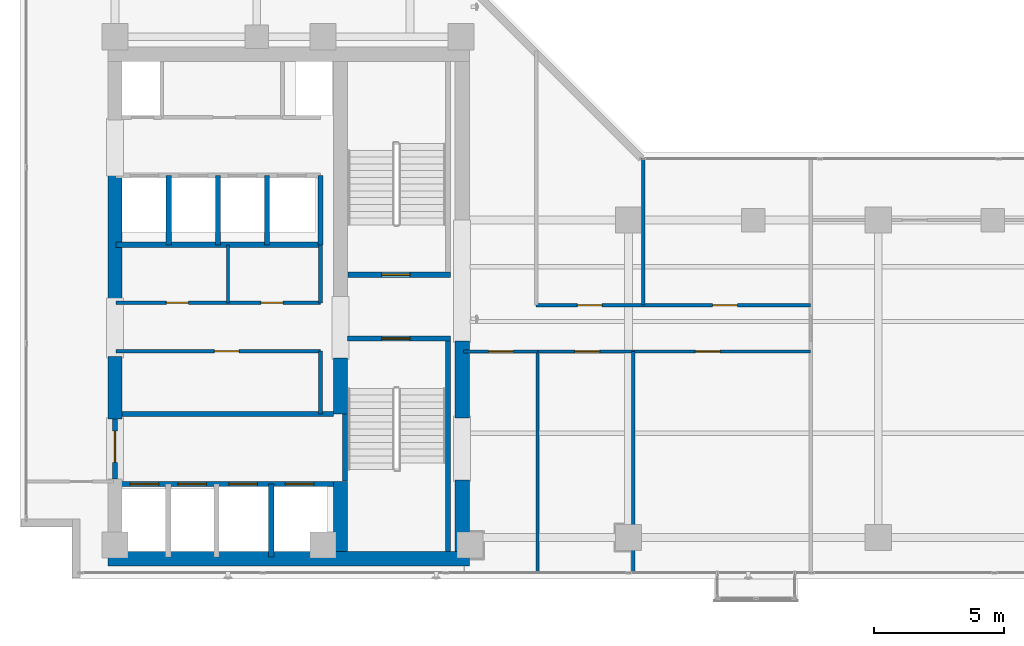
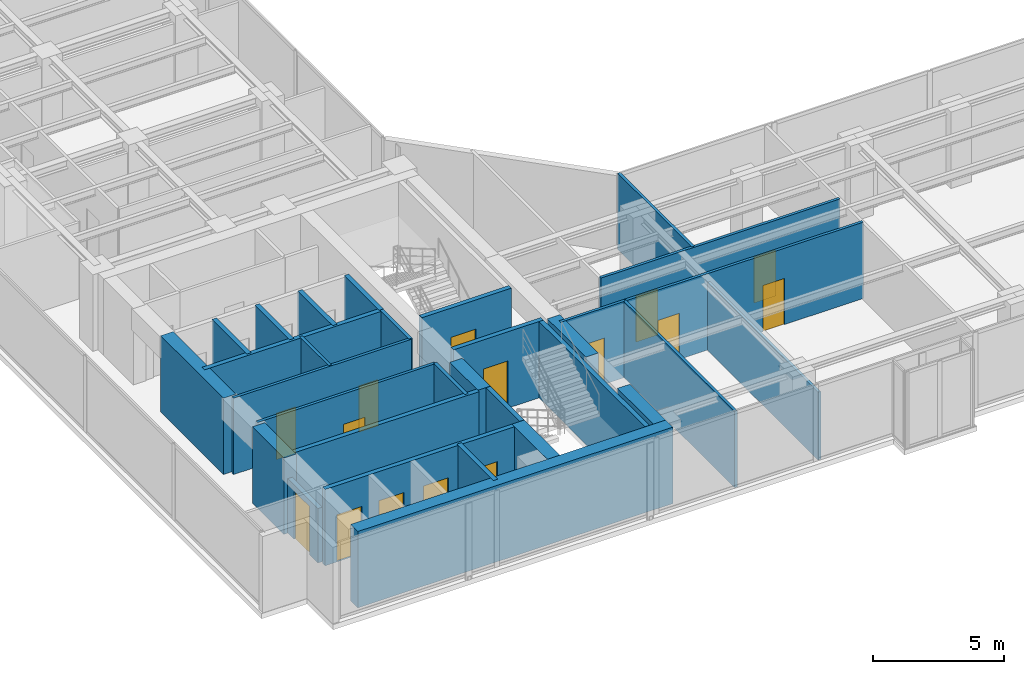
# One storey, part 17 of 23: 31 walls, 15 doors, 15 openings.
"""IFC4 building model written with IfcOpenShell, lengths in metres."""

from ifc_helpers import new_model, si_unit, direction, frame, frame_2d, origin, place, context, subcontext, project, spatial, rectangle, extrude, material, layer, layer_set, type_object, element, fill, save


model = new_model("IFC4")

# Units and contexts
model_context = context("Model", 3, precision=1e-05, world=origin(), true_north=direction((0.0, 1.0)))
body_context = subcontext(model_context, "Body", "Model", "MODEL_VIEW")
ifc_project = project(units=[si_unit("LENGTHUNIT", "METRE"), si_unit("AREAUNIT", "SQUARE_METRE"), si_unit("VOLUMEUNIT", "CUBIC_METRE"), si_unit("PLANEANGLEUNIT", "RADIAN"), si_unit("MASSUNIT", "GRAM", prefix="KILO")], contexts=[model_context])

# Site, building, storey
site_placement = place(None, origin())
site = spatial("IfcSite", under=ifc_project, at=site_placement, CompositionType="ELEMENT")
building_placement = place(site_placement, origin())
building = spatial("IfcBuilding", under=site, at=building_placement, Name="Kolvaren Waterfront Exchange", CompositionType="ELEMENT")
storey_placement = place(building_placement, frame((0.0, 0.0, 234.89990234375)))
storey = spatial("IfcBuildingStorey", under=building, at=storey_placement, Name="L60", CompositionType="ELEMENT", Elevation=234.89990234375)

# Wall, opening, door
ifc_material_1 = material(Name="Precast concrete C40/50", Category="concrete")
ifc_layer_1 = layer(ifc_material_1, 0.199951171875, Name="Precast concrete C40/50")
ifc_layer_set_1 = layer_set([ifc_layer_1], Name="Precast concrete C40/50")
wall_type_1 = type_object("IfcWallType", Name="ARC-FIRE-200", PredefinedType="PARTITIONING", material=ifc_layer_set_1)
wall_1_placement = place(storey_placement, frame((16.39990234375, 12.85009765625, 0.0), z_axis=(0.0, 0.0, 1.0), x_axis=(1.0, 0.0, 0.0)))
wall_1 = element("IfcWall", 1, at=wall_1_placement, inside=storey, type_object=wall_type_1, Name="L60 interior wall PW-L60-ST1-THROAT-S", PredefinedType="PARTITIONING", context=body_context, shape_type="SweptSolid", body=[
    extrude(rectangle(XDim=3.960205078125, YDim=0.199951171875, at=frame_2d((1.97998046875, 0.0))), origin(), (0.0, 0.0, 1.0), 3.56005859375),
])
opening_1_placement = place(wall_1_placement, frame((1.3037109375, 0.0, 0.0)))
opening_1 = element("IfcOpeningElement", 2, at=opening_1_placement, cuts=wall_1, Name="Opening FD2", PredefinedType="OPENING", context=body_context, shape_type="SweptSolid", body=[
    extrude(rectangle(XDim=1.10009765625, YDim=2.199951171875, at=frame_2d((0.550048828125, 1.10009765625))), frame((0.0, 0.10986328125, 0.0), z_axis=(0.0, -1.0, 0.0), x_axis=(1.0, 0.0, 0.0)), (0.0, 0.0, 1.0), 0.219970703125),
])
ifc_material_2 = material(Name="Pressed steel smoke-seal fire door", Category="steel")
door_type_1 = type_object("IfcDoorType", Name="ARC-FD-1100", OperationType="NOTDEFINED", PredefinedType="DOOR", material=ifc_material_2)
door_1_placement = place(opening_1_placement, frame((1.10009765625, 0.0, 0.0), z_axis=(0.0, 0.0, 1.0), x_axis=(-1.0, 0.0, 0.0)))
door_1 = element("IfcDoor", 3, at=door_1_placement, inside=storey, type_object=door_type_1, Name="L60 door DR-L60-ST1-IN (FD2)", OperationType="SINGLE_SWING_LEFT", OverallHeight=2.199951171875, OverallWidth=1.10009765625, PredefinedType="DOOR", context=body_context, shape_type="SweptSolid", body=[
    extrude(rectangle(XDim=1.10009765625, YDim=2.199951171875, at=frame_2d((0.550048828125, 1.10009765625))), frame((0.0, 0.02490234375, 0.0), z_axis=(0.0, -1.0, 0.0), x_axis=(1.0, 0.0, 0.0)), (0.0, 0.0, 1.0), 0.050048828125),
])
fill(opening_1, door_1)

wall_2_placement = place(storey_placement, frame((16.409912109375, 15.300048828125, 0.0), z_axis=(0.0, 0.0, 1.0), x_axis=(1.0, 0.0, 0.0)))
wall_2 = element("IfcWall", 4, at=wall_2_placement, inside=storey, type_object=wall_type_1, Name="L60 interior wall PW-L60-ST2-THROAT-N", PredefinedType="PARTITIONING", context=body_context, shape_type="SweptSolid", body=[
    extrude(rectangle(XDim=3.9501953125, YDim=0.199951171875, at=frame_2d((1.97509765625, 0.0))), origin(), (0.0, 0.0, 1.0), 3.56005859375),
])
opening_2_placement = place(wall_2_placement, frame((1.293701171875, 0.0, 0.0)))
opening_2 = element("IfcOpeningElement", 5, at=opening_2_placement, cuts=wall_2, Name="Opening FD2", PredefinedType="OPENING", context=body_context, shape_type="SweptSolid", body=[
    extrude(rectangle(XDim=1.10009765625, YDim=2.199951171875, at=frame_2d((0.550048828125, 1.10009765625))), frame((0.0, 0.10986328125, 0.0), z_axis=(0.0, -1.0, 0.0), x_axis=(1.0, 0.0, 0.0)), (0.0, 0.0, 1.0), 0.219970703125),
])
door_2_placement = place(opening_2_placement, origin())
door_2 = element("IfcDoor", 6, at=door_2_placement, inside=storey, type_object=door_type_1, Name="L60 door DR-L60-ST2-IN (FD2)", OperationType="SINGLE_SWING_RIGHT", OverallHeight=2.199951171875, OverallWidth=1.10009765625, PredefinedType="DOOR", context=body_context, shape_type="SweptSolid", body=[
    extrude(rectangle(XDim=1.10009765625, YDim=2.199951171875, at=frame_2d((0.550048828125, 1.10009765625))), frame((0.0, 0.02490234375, 0.0), z_axis=(0.0, -1.0, 0.0), x_axis=(1.0, 0.0, 0.0)), (0.0, 0.0, 1.0), 0.050048828125),
])
fill(opening_2, door_2)

# Wall
wall_3_placement = place(storey_placement, frame((7.5, 9.949951171875, 0.0), z_axis=(0.0, 0.0, 1.0), x_axis=(1.0, 0.0, 0.0)))
element("IfcWall", 7, at=wall_3_placement, inside=storey, type_object=wall_type_1, Name="L60 interior wall PW-L60-FF-N", PredefinedType="PARTITIONING", context=body_context, shape_type="SweptSolid", body=[
    extrude(rectangle(XDim=8.35009765625, YDim=0.199951171875, at=frame_2d((4.175048828125, 0.0))), origin(), (0.0, 0.0, 1.0), 3.56005859375),
])

# Wall, opening, door
wall_4_placement = place(storey_placement, frame((7.449951171875, 7.449951171875, 0.0), z_axis=(0.0, 0.0, 1.0), x_axis=(0.0, 1.0, 0.0)))
wall_4 = element("IfcWall", 8, at=wall_4_placement, inside=storey, type_object=wall_type_1, Name="L60 interior wall PW-L60-FF-W-DOOR", PredefinedType="PARTITIONING", context=body_context, shape_type="SweptSolid", body=[
    extrude(rectangle(XDim=2.300048828125, YDim=0.199951171875, at=frame_2d((1.14990234375, 0.0))), origin(), (0.0, 0.0, 1.0), 2.5400390625),
])
opening_3_placement = place(wall_4_placement, frame((0.63330078125, 0.0, 0.0)))
opening_3 = element("IfcOpeningElement", 9, at=opening_3_placement, cuts=wall_4, Name="Opening FD3", PredefinedType="OPENING", context=body_context, shape_type="SweptSolid", body=[
    extrude(rectangle(XDim=1.199951171875, YDim=2.25, at=frame_2d((0.60009765625, 1.125))), frame((0.0, 0.10986328125, 0.0), z_axis=(0.0, -1.0, 0.0), x_axis=(1.0, 0.0, 0.0)), (0.0, 0.0, 1.0), 0.219970703125),
])
ifc_material_3 = material(Name="Pressed steel fire door", Category="steel")
door_type_2 = type_object("IfcDoorType", Name="ARC-FD-1200", OperationType="NOTDEFINED", PredefinedType="DOOR", material=ifc_material_3)
door_3_placement = place(opening_3_placement, frame((1.199951171875, 0.0, 0.0), z_axis=(0.0, 0.0, 1.0), x_axis=(-1.0, 0.0, 0.0)))
door_3 = element("IfcDoor", 10, at=door_3_placement, inside=storey, type_object=door_type_2, Name="L60 door DR-L60-FF-OUT (FD3)", OperationType="SINGLE_SWING_LEFT", OverallHeight=2.25, OverallWidth=1.199951171875, PredefinedType="DOOR", context=body_context, shape_type="SweptSolid", body=[
    extrude(rectangle(XDim=1.199951171875, YDim=2.25, at=frame_2d((0.60009765625, 1.125))), frame((0.0, 0.02490234375, 0.0), z_axis=(0.0, -1.0, 0.0), x_axis=(1.0, 0.0, 0.0)), (0.0, 0.0, 1.0), 0.050048828125),
])
fill(opening_3, door_3)

ifc_material_4 = material(Name="Acoustic gypsum steel stud", Category="steel")
ifc_layer_2 = layer(ifc_material_4, 0.125, Name="Acoustic gypsum steel stud")
ifc_layer_set_2 = layer_set([ifc_layer_2], Name="Acoustic gypsum steel stud")
wall_type_2 = type_object("IfcWallType", Name="ARC-PART-125", PredefinedType="PARTITIONING", material=ifc_layer_set_2)
wall_5_placement = place(storey_placement, frame((7.5, 12.360107421875, 0.0), z_axis=(0.0, 0.0, 1.0), x_axis=(1.0, 0.0, 0.0)))
wall_5 = element("IfcWall", 11, at=wall_5_placement, inside=storey, type_object=wall_type_2, Name="L60 interior wall PW-L60-REC-HI-S", PredefinedType="PARTITIONING", context=body_context, shape_type="SweptSolid", body=[
    extrude(rectangle(XDim=7.85009765625, YDim=0.125, at=frame_2d((3.925048828125, 0.0))), origin(), (0.0, 0.0, 1.0), 3.56005859375),
])
opening_4_placement = place(wall_5_placement, frame((3.77490234375, 0.0, 0.0)))
opening_4 = element("IfcOpeningElement", 12, at=opening_4_placement, cuts=wall_5, Name="Opening D02", PredefinedType="OPENING", context=body_context, shape_type="SweptSolid", body=[
    extrude(rectangle(XDim=0.949951171875, YDim=2.14990234375, at=frame_2d((0.47509765625, 1.074951171875))), frame((0.0, 0.072509765625, 0.0), z_axis=(0.0, -1.0, 0.0), x_axis=(1.0, 0.0, 0.0)), (0.0, 0.0, 1.0), 0.14501953125),
])
ifc_material_5 = material(Name="Oak veneer acoustic timber", Category="wood")
door_type_3 = type_object("IfcDoorType", Name="ARC-DR-950", OperationType="NOTDEFINED", PredefinedType="DOOR", material=ifc_material_5)
door_4_placement = place(opening_4_placement, origin())
door_4 = element("IfcDoor", 13, at=door_4_placement, inside=storey, type_object=door_type_3, Name="L60 door DR-L60-REC-HI-D1 (D02)", OperationType="SINGLE_SWING_RIGHT", OverallHeight=2.14990234375, OverallWidth=0.949951171875, PredefinedType="DOOR", context=body_context, shape_type="SweptSolid", body=[
    extrude(rectangle(XDim=0.949951171875, YDim=2.14990234375, at=frame_2d((0.47509765625, 1.074951171875))), frame((0.0, 0.02490234375, 0.0), z_axis=(0.0, -1.0, 0.0), x_axis=(1.0, 0.0, 0.0)), (0.0, 0.0, 1.0), 0.050048828125),
])
fill(opening_4, door_4)

# Wall, openings, doors
wall_6_placement = place(storey_placement, frame((7.5, 14.219970703125, 0.0), z_axis=(0.0, 0.0, 1.0), x_axis=(1.0, 0.0, 0.0)))
wall_6 = element("IfcWall", 14, at=wall_6_placement, inside=storey, type_object=wall_type_2, Name="L60 interior wall PW-L60-REC-HI-N", PredefinedType="PARTITIONING", context=body_context, shape_type="SweptSolid", body=[
    extrude(rectangle(XDim=7.85009765625, YDim=0.125, at=frame_2d((3.925048828125, 0.0))), origin(), (0.0, 0.0, 1.0), 3.56005859375),
])
opening_5_placement = place(wall_6_placement, frame((1.925048828125, 0.0, 0.0)))
opening_5 = element("IfcOpeningElement", 15, at=opening_5_placement, cuts=wall_6, Name="Opening D01", PredefinedType="OPENING", context=body_context, shape_type="SweptSolid", body=[
    extrude(rectangle(XDim=0.85009765625, YDim=2.14990234375, at=frame_2d((0.425048828125, 1.074951171875))), frame((0.0, 0.072509765625, 0.0), z_axis=(0.0, -1.0, 0.0), x_axis=(1.0, 0.0, 0.0)), (0.0, 0.0, 1.0), 0.14501953125),
])
opening_6_placement = place(wall_6_placement, frame((5.56298828125, 0.0, 0.0)))
opening_6 = element("IfcOpeningElement", 16, at=opening_6_placement, cuts=wall_6, Name="Opening D01", PredefinedType="OPENING", context=body_context, shape_type="SweptSolid", body=[
    extrude(rectangle(XDim=0.85009765625, YDim=2.14990234375, at=frame_2d((0.425048828125, 1.074951171875))), frame((0.0, 0.072509765625, 0.0), z_axis=(0.0, -1.0, 0.0), x_axis=(1.0, 0.0, 0.0)), (0.0, 0.0, 1.0), 0.14501953125),
])
ifc_material_6 = material(Name="Oak veneer timber leaf", Category="wood")
door_type_4 = type_object("IfcDoorType", Name="ARC-DR-900", OperationType="NOTDEFINED", PredefinedType="DOOR", material=ifc_material_6)
door_5_placement = place(opening_5_placement, origin())
door_5 = element("IfcDoor", 17, at=door_5_placement, inside=storey, type_object=door_type_4, Name="L60 door DR-L60-REC-HI-D2 (D01)", OperationType="SINGLE_SWING_LEFT", OverallHeight=2.14990234375, OverallWidth=0.85009765625, PredefinedType="DOOR", context=body_context, shape_type="SweptSolid", body=[
    extrude(rectangle(XDim=0.85009765625, YDim=2.14990234375, at=frame_2d((0.425048828125, 1.074951171875))), frame((0.0, 0.02490234375, 0.0), z_axis=(0.0, -1.0, 0.0), x_axis=(1.0, 0.0, 0.0)), (0.0, 0.0, 1.0), 0.050048828125),
])
fill(opening_5, door_5)
door_6_placement = place(opening_6_placement, origin())
door_6 = element("IfcDoor", 18, at=door_6_placement, inside=storey, type_object=door_type_4, Name="L60 door DR-L60-REC-HI-D3 (D01)", OperationType="SINGLE_SWING_RIGHT", OverallHeight=2.14990234375, OverallWidth=0.85009765625, PredefinedType="DOOR", context=body_context, shape_type="SweptSolid", body=[
    extrude(rectangle(XDim=0.85009765625, YDim=2.14990234375, at=frame_2d((0.425048828125, 1.074951171875))), frame((0.0, 0.02490234375, 0.0), z_axis=(0.0, -1.0, 0.0), x_axis=(1.0, 0.0, 0.0)), (0.0, 0.0, 1.0), 0.050048828125),
])
fill(opening_6, door_6)

# Wall
wall_7_placement = place(storey_placement, frame((11.800048828125, 14.219970703125, 0.0), z_axis=(0.0, 0.0, 1.0), x_axis=(0.0, 1.0, 0.0)))
element("IfcWall", 19, at=wall_7_placement, inside=storey, type_object=wall_type_2, Name="L60 interior wall PW-L60-REC-HI-MN2", PredefinedType="PARTITIONING", context=body_context, shape_type="SweptSolid", body=[
    extrude(rectangle(XDim=2.22998046875, YDim=0.125, at=frame_2d((1.114990234375, 0.0))), origin(), (0.0, 0.0, 1.0), 3.56005859375),
])

# Wall, opening, door
wall_8_placement = place(storey_placement, frame((20.85009765625, 12.35009765625, 0.0), z_axis=(0.0, 0.0, 1.0), x_axis=(1.0, 0.0, 0.0)))
wall_8 = element("IfcWall", 20, at=wall_8_placement, inside=storey, type_object=wall_type_2, Name="L60 interior wall PW-L60-SWST3-N", PredefinedType="PARTITIONING", context=body_context, shape_type="SweptSolid", body=[
    extrude(rectangle(XDim=2.849853515625, YDim=0.125, at=frame_2d((1.4248046875, 0.0))), origin(), (0.0, 0.0, 1.0), 3.56005859375),
])
opening_7_placement = place(wall_8_placement, frame((0.971435546875, 0.0, 0.0)))
opening_7 = element("IfcOpeningElement", 21, at=opening_7_placement, cuts=wall_8, Name="Opening D02", PredefinedType="OPENING", context=body_context, shape_type="SweptSolid", body=[
    extrude(rectangle(XDim=0.949951171875, YDim=2.14990234375, at=frame_2d((0.47509765625, 1.074951171875))), frame((0.0, 0.072509765625, 0.0), z_axis=(0.0, -1.0, 0.0), x_axis=(1.0, 0.0, 0.0)), (0.0, 0.0, 1.0), 0.14501953125),
])
door_7_placement = place(opening_7_placement, origin())
door_7 = element("IfcDoor", 22, at=door_7_placement, inside=storey, type_object=door_type_3, Name="L60 door DR-L60-SWST3-D (D02)", OperationType="SINGLE_SWING_RIGHT", OverallHeight=2.14990234375, OverallWidth=0.949951171875, PredefinedType="DOOR", context=body_context, shape_type="SweptSolid", body=[
    extrude(rectangle(XDim=0.949951171875, YDim=2.14990234375, at=frame_2d((0.47509765625, 1.074951171875))), frame((0.0, 0.02490234375, 0.0), z_axis=(0.0, -1.0, 0.0), x_axis=(1.0, 0.0, 0.0)), (0.0, 0.0, 1.0), 0.050048828125),
])
fill(opening_7, door_7)

# Wall
wall_9_placement = place(storey_placement, frame((23.699951171875, 3.840087890625, 0.0), z_axis=(0.0, 0.0, 1.0), x_axis=(0.0, 1.0, 0.0)))
element("IfcWall", 23, at=wall_9_placement, inside=storey, type_object=wall_type_2, Name="L60 interior wall PW-L60-ES-W0", PredefinedType="PARTITIONING", context=body_context, shape_type="SweptSolid", body=[
    extrude(rectangle(XDim=8.510009765625, YDim=0.125, at=frame_2d((4.2548828125, 0.0))), origin(), (0.0, 0.0, 1.0), 3.56005859375),
])

# Wall, openings, doors
wall_10_placement = place(storey_placement, frame((23.699951171875, 12.35009765625, 0.0), z_axis=(0.0, 0.0, 1.0), x_axis=(1.0, 0.0, 0.0)))
wall_10 = element("IfcWall", 24, at=wall_10_placement, inside=storey, type_object=wall_type_2, Name="L60 interior wall PW-L60-ES-CORR", PredefinedType="PARTITIONING", context=body_context, shape_type="SweptSolid", body=[
    extrude(rectangle(XDim=10.5, YDim=0.125, at=frame_2d((5.25, 0.0))), origin(), (0.0, 0.0, 1.0), 3.56005859375),
])
opening_8_placement = place(wall_10_placement, frame((1.439208984375, 0.0, 0.0)))
opening_8 = element("IfcOpeningElement", 25, at=opening_8_placement, cuts=wall_10, Name="Opening D02", PredefinedType="OPENING", context=body_context, shape_type="SweptSolid", body=[
    extrude(rectangle(XDim=0.949951171875, YDim=2.14990234375, at=frame_2d((0.47509765625, 1.074951171875))), frame((0.0, 0.072509765625, 0.0), z_axis=(0.0, -1.0, 0.0), x_axis=(1.0, 0.0, 0.0)), (0.0, 0.0, 1.0), 0.14501953125),
])
opening_9_placement = place(wall_10_placement, frame((6.069091796875, 0.0, 0.0)))
opening_9 = element("IfcOpeningElement", 26, at=opening_9_placement, cuts=wall_10, Name="Opening D02", PredefinedType="OPENING", context=body_context, shape_type="SweptSolid", body=[
    extrude(rectangle(XDim=0.949951171875, YDim=2.14990234375, at=frame_2d((0.47509765625, 1.074951171875))), frame((0.0, 0.072509765625, 0.0), z_axis=(0.0, -1.0, 0.0), x_axis=(1.0, 0.0, 0.0)), (0.0, 0.0, 1.0), 0.14501953125),
])
door_8_placement = place(opening_8_placement, origin())
door_8 = element("IfcDoor", 27, at=door_8_placement, inside=storey, type_object=door_type_3, Name="L60 door DR-L60-ES-D-1 (D02)", OperationType="SINGLE_SWING_LEFT", OverallHeight=2.14990234375, OverallWidth=0.949951171875, PredefinedType="DOOR", context=body_context, shape_type="SweptSolid", body=[
    extrude(rectangle(XDim=0.949951171875, YDim=2.14990234375, at=frame_2d((0.47509765625, 1.074951171875))), frame((0.0, 0.02490234375, 0.0), z_axis=(0.0, -1.0, 0.0), x_axis=(1.0, 0.0, 0.0)), (0.0, 0.0, 1.0), 0.050048828125),
])
fill(opening_8, door_8)
door_9_placement = place(opening_9_placement, origin())
door_9 = element("IfcDoor", 28, at=door_9_placement, inside=storey, type_object=door_type_3, Name="L60 door DR-L60-ES-D-2 (D02)", OperationType="SINGLE_SWING_RIGHT", OverallHeight=2.14990234375, OverallWidth=0.949951171875, PredefinedType="DOOR", context=body_context, shape_type="SweptSolid", body=[
    extrude(rectangle(XDim=0.949951171875, YDim=2.14990234375, at=frame_2d((0.47509765625, 1.074951171875))), frame((0.0, 0.02490234375, 0.0), z_axis=(0.0, -1.0, 0.0), x_axis=(1.0, 0.0, 0.0)), (0.0, 0.0, 1.0), 0.050048828125),
])
fill(opening_9, door_9)

# Wall
wall_11_placement = place(storey_placement, frame((27.3798828125, 3.840087890625, 0.0), z_axis=(0.0, 0.0, 1.0), x_axis=(0.0, 1.0, 0.0)))
element("IfcWall", 29, at=wall_11_placement, inside=storey, type_object=wall_type_2, Name="L60 interior wall PW-L60-ES-DIV-1", PredefinedType="PARTITIONING", context=body_context, shape_type="SweptSolid", body=[
    extrude(rectangle(XDim=8.510009765625, YDim=0.125, at=frame_2d((4.2548828125, 0.0))), origin(), (0.0, 0.0, 1.0), 3.16015625),
])

# Wall, openings, doors
wall_12_placement = place(storey_placement, frame((23.64990234375, 14.1298828125, 0.0), z_axis=(0.0, 0.0, 1.0), x_axis=(1.0, 0.0, 0.0)))
wall_12 = element("IfcWall", 30, at=wall_12_placement, inside=storey, type_object=wall_type_2, Name="L60 interior wall PW-L60-EN-CORR", PredefinedType="PARTITIONING", context=body_context, shape_type="SweptSolid", body=[
    extrude(rectangle(XDim=10.550048828125, YDim=0.125, at=frame_2d((5.27490234375, 0.0))), origin(), (0.0, 0.0, 1.0), 3.56005859375),
])
opening_10_placement = place(wall_12_placement, frame((1.580078125, 0.0, 0.0)))
opening_10 = element("IfcOpeningElement", 31, at=opening_10_placement, cuts=wall_12, Name="Opening D02", PredefinedType="OPENING", context=body_context, shape_type="SweptSolid", body=[
    extrude(rectangle(XDim=0.949951171875, YDim=2.14990234375, at=frame_2d((0.47509765625, 1.074951171875))), frame((0.0, 0.072509765625, 0.0), z_axis=(0.0, -1.0, 0.0), x_axis=(1.0, 0.0, 0.0)), (0.0, 0.0, 1.0), 0.14501953125),
])
opening_11_placement = place(wall_12_placement, frame((6.783935546875, 0.0, 0.0)))
opening_11 = element("IfcOpeningElement", 32, at=opening_11_placement, cuts=wall_12, Name="Opening D02", PredefinedType="OPENING", context=body_context, shape_type="SweptSolid", body=[
    extrude(rectangle(XDim=0.949951171875, YDim=2.14990234375, at=frame_2d((0.47509765625, 1.074951171875))), frame((0.0, 0.072509765625, 0.0), z_axis=(0.0, -1.0, 0.0), x_axis=(1.0, 0.0, 0.0)), (0.0, 0.0, 1.0), 0.14501953125),
])
door_10_placement = place(opening_10_placement, origin())
door_10 = element("IfcDoor", 33, at=door_10_placement, inside=storey, type_object=door_type_3, Name="L60 door DR-L60-EN-D-1 (D02)", OperationType="SINGLE_SWING_LEFT", OverallHeight=2.14990234375, OverallWidth=0.949951171875, PredefinedType="DOOR", context=body_context, shape_type="SweptSolid", body=[
    extrude(rectangle(XDim=0.949951171875, YDim=2.14990234375, at=frame_2d((0.47509765625, 1.074951171875))), frame((0.0, 0.02490234375, 0.0), z_axis=(0.0, -1.0, 0.0), x_axis=(1.0, 0.0, 0.0)), (0.0, 0.0, 1.0), 0.050048828125),
])
fill(opening_10, door_10)
door_11_placement = place(opening_11_placement, origin())
door_11 = element("IfcDoor", 34, at=door_11_placement, inside=storey, type_object=door_type_3, Name="L60 door DR-L60-EN-D-2 (D02)", OperationType="SINGLE_SWING_RIGHT", OverallHeight=2.14990234375, OverallWidth=0.949951171875, PredefinedType="DOOR", context=body_context, shape_type="SweptSolid", body=[
    extrude(rectangle(XDim=0.949951171875, YDim=2.14990234375, at=frame_2d((0.47509765625, 1.074951171875))), frame((0.0, 0.02490234375, 0.0), z_axis=(0.0, -1.0, 0.0), x_axis=(1.0, 0.0, 0.0)), (0.0, 0.0, 1.0), 0.050048828125),
])
fill(opening_11, door_11)

# Walls
wall_13_placement = place(storey_placement, frame((27.760009765625, 14.1298828125, 0.0), z_axis=(0.0, 0.0, 1.0), x_axis=(0.0, 1.0, 0.0)))
element("IfcWall", 35, at=wall_13_placement, inside=storey, type_object=wall_type_2, Name="L60 interior wall PW-L60-EN-DIV-1", PredefinedType="PARTITIONING", context=body_context, shape_type="SweptSolid", body=[
    extrude(rectangle(XDim=5.670166015625, YDim=0.125, at=frame_2d((2.8349609375, 0.0))), origin(), (0.0, 0.0, 1.0), 3.56005859375),
])
ifc_material_7 = material(Name="Gypsum fireboard steel stud", Category="steel")
ifc_layer_3 = layer(ifc_material_7, 0.14990234375, Name="Gypsum fireboard steel stud")
ifc_layer_set_3 = layer_set([ifc_layer_3], Name="Gypsum fireboard steel stud")
wall_type_3 = type_object("IfcWallType", Name="ARC-PART-150", PredefinedType="PARTITIONING", material=ifc_layer_set_3)
wall_14_placement = place(storey_placement, frame((15.35009765625, 9.949951171875, 0.0), z_axis=(0.0, 0.0, 1.0), x_axis=(0.0, 1.0, 0.0)))
element("IfcWall", 36, at=wall_14_placement, inside=storey, type_object=wall_type_3, Name="L60 interior wall PW-L60-REC-HI-E1", PredefinedType="PARTITIONING", context=body_context, shape_type="SweptSolid", body=[
    extrude(rectangle(XDim=2.41015625, YDim=0.14990234375, at=frame_2d((1.205078125, 0.0))), origin(), (0.0, 0.0, 1.0), 3.56005859375),
])
wall_15_placement = place(storey_placement, frame((15.35009765625, 14.219970703125, 0.0), z_axis=(0.0, 0.0, 1.0), x_axis=(0.0, 1.0, 0.0)))
element("IfcWall", 37, at=wall_15_placement, inside=storey, type_object=wall_type_3, Name="L60 interior wall PW-L60-REC-HI-E2", PredefinedType="PARTITIONING", context=body_context, shape_type="SweptSolid", body=[
    extrude(rectangle(XDim=2.22998046875, YDim=0.14990234375, at=frame_2d((1.114990234375, 0.0))), origin(), (0.0, 0.0, 1.0), 3.56005859375),
])
ifc_material_8 = material(Name="Concrete C40/50", Category="concrete")
ifc_layer_4 = layer(ifc_material_8, 0.199951171875, Name="Concrete C40/50")
ifc_layer_set_4 = layer_set([ifc_layer_4], Name="Concrete C40/50")
wall_type_4 = type_object("IfcWallType", Name="ARC-SHAFT-200", PredefinedType="PARTITIONING", material=ifc_layer_set_4)
wall_16_placement = place(storey_placement, frame((16.300048828125, 7.360107421875, 0.0), z_axis=(0.0, 0.0, 1.0), x_axis=(0.0, 1.0, 0.0)))
element("IfcWall", 38, at=wall_16_placement, inside=storey, type_object=wall_type_4, Name="L60 structural stairwell wall PW-L60-ST1-W", PredefinedType="SHEAR", context=body_context, shape_type="SweptSolid", body=[
    extrude(rectangle(XDim=2.579833984375, YDim=0.199951171875, at=frame_2d((1.2900390625, 0.0))), origin(), (0.0, 0.0, 1.0), 3.56005859375),
])
wall_17_placement = place(storey_placement, frame((20.260009765625, 4.659912109375, 0.0), z_axis=(0.0, 0.0, 1.0), x_axis=(0.0, 1.0, 0.0)))
element("IfcWall", 39, at=wall_17_placement, inside=storey, type_object=wall_type_4, Name="L60 structural stairwell wall PW-L60-ST1-E", PredefinedType="SHEAR", context=body_context, shape_type="SweptSolid", body=[
    extrude(rectangle(XDim=8.090087890625, YDim=0.199951171875, at=frame_2d((4.044921875, 0.0))), origin(), (0.0, 0.0, 1.0), 3.56005859375),
])

# Wall, openings, doors
wall_18_placement = place(storey_placement, frame((7.5, 7.25, 0.0), z_axis=(0.0, 0.0, 1.0), x_axis=(1.0, 0.0, 0.0)))
wall_18 = element("IfcWall", 40, at=wall_18_placement, inside=storey, type_object=wall_type_4, Name="L60 interior wall PW-L60-FF-S", PredefinedType="PARTITIONING", context=body_context, shape_type="SweptSolid", body=[
    extrude(rectangle(XDim=8.35009765625, YDim=0.199951171875, at=frame_2d((4.175048828125, 0.0))), origin(), (0.0, 0.0, 1.0), 3.56005859375),
])
opening_12_placement = place(wall_18_placement, frame((0.530029296875, 0.0, 0.0)))
opening_12 = element("IfcOpeningElement", 41, at=opening_12_placement, cuts=wall_18, Name="Opening LD1", PredefinedType="OPENING", context=body_context, shape_type="SweptSolid", body=[
    extrude(rectangle(XDim=1.10009765625, YDim=2.199951171875, at=frame_2d((0.550048828125, 1.10009765625))), frame((0.0, 0.10986328125, 0.0), z_axis=(0.0, -1.0, 0.0), x_axis=(1.0, 0.0, 0.0)), (0.0, 0.0, 1.0), 0.219970703125),
])
opening_13_placement = place(wall_18_placement, frame((2.3701171875, 0.0, 0.0)))
opening_13 = element("IfcOpeningElement", 42, at=opening_13_placement, cuts=wall_18, Name="Opening LD1", PredefinedType="OPENING", context=body_context, shape_type="SweptSolid", body=[
    extrude(rectangle(XDim=1.10009765625, YDim=2.199951171875, at=frame_2d((0.550048828125, 1.10009765625))), frame((0.0, 0.10986328125, 0.0), z_axis=(0.0, -1.0, 0.0), x_axis=(1.0, 0.0, 0.0)), (0.0, 0.0, 1.0), 0.219970703125),
])
opening_14_placement = place(wall_18_placement, frame((4.330078125, 0.0, 0.0)))
opening_14 = element("IfcOpeningElement", 43, at=opening_14_placement, cuts=wall_18, Name="Opening LD1", PredefinedType="OPENING", context=body_context, shape_type="SweptSolid", body=[
    extrude(rectangle(XDim=1.10009765625, YDim=2.199951171875, at=frame_2d((0.550048828125, 1.10009765625))), frame((0.0, 0.10986328125, 0.0), z_axis=(0.0, -1.0, 0.0), x_axis=(1.0, 0.0, 0.0)), (0.0, 0.0, 1.0), 0.219970703125),
])
opening_15_placement = place(wall_18_placement, frame((6.5, 0.0, 0.0)))
opening_15 = element("IfcOpeningElement", 44, at=opening_15_placement, cuts=wall_18, Name="Opening LD1", PredefinedType="OPENING", context=body_context, shape_type="SweptSolid", body=[
    extrude(rectangle(XDim=1.10009765625, YDim=2.199951171875, at=frame_2d((0.550048828125, 1.10009765625))), frame((0.0, 0.10986328125, 0.0), z_axis=(0.0, -1.0, 0.0), x_axis=(1.0, 0.0, 0.0)), (0.0, 0.0, 1.0), 0.219970703125),
])
ifc_material_9 = material(Name="Stainless steel sliding landing door", Category="steel")
door_type_5 = type_object("IfcDoorType", Name="ARC-LD-FF", OperationType="SLIDING_TO_LEFT", PredefinedType="DOOR", material=ifc_material_9)
door_12_placement = place(opening_12_placement, origin())
door_12 = element("IfcDoor", 45, at=door_12_placement, inside=storey, type_object=door_type_5, Name="L60 door LD-L60-FFL1 (LD1)", OperationType="SLIDING_TO_LEFT", OverallHeight=2.199951171875, OverallWidth=1.10009765625, PredefinedType="DOOR", context=body_context, shape_type="SweptSolid", body=[
    extrude(rectangle(XDim=1.10009765625, YDim=2.199951171875, at=frame_2d((0.550048828125, 1.10009765625))), frame((0.0, 0.02490234375, 0.0), z_axis=(0.0, -1.0, 0.0), x_axis=(1.0, 0.0, 0.0)), (0.0, 0.0, 1.0), 0.050048828125),
])
fill(opening_12, door_12)
door_13_placement = place(opening_13_placement, origin())
door_13 = element("IfcDoor", 46, at=door_13_placement, inside=storey, type_object=door_type_5, Name="L60 door LD-L60-FFL2 (LD1)", OperationType="SLIDING_TO_LEFT", OverallHeight=2.199951171875, OverallWidth=1.10009765625, PredefinedType="DOOR", context=body_context, shape_type="SweptSolid", body=[
    extrude(rectangle(XDim=1.10009765625, YDim=2.199951171875, at=frame_2d((0.550048828125, 1.10009765625))), frame((0.0, 0.02490234375, 0.0), z_axis=(0.0, -1.0, 0.0), x_axis=(1.0, 0.0, 0.0)), (0.0, 0.0, 1.0), 0.050048828125),
])
fill(opening_13, door_13)
door_14_placement = place(opening_14_placement, origin())
door_14 = element("IfcDoor", 47, at=door_14_placement, inside=storey, type_object=door_type_5, Name="L60 door LD-L60-GL1 (LD1)", OperationType="SLIDING_TO_LEFT", OverallHeight=2.199951171875, OverallWidth=1.10009765625, PredefinedType="DOOR", context=body_context, shape_type="SweptSolid", body=[
    extrude(rectangle(XDim=1.10009765625, YDim=2.199951171875, at=frame_2d((0.550048828125, 1.10009765625))), frame((0.0, 0.02490234375, 0.0), z_axis=(0.0, -1.0, 0.0), x_axis=(1.0, 0.0, 0.0)), (0.0, 0.0, 1.0), 0.050048828125),
])
fill(opening_14, door_14)
door_15_placement = place(opening_15_placement, origin())
door_15 = element("IfcDoor", 48, at=door_15_placement, inside=storey, type_object=door_type_5, Name="L60 door LD-L60-GL2 (LD1)", OperationType="SLIDING_TO_LEFT", OverallHeight=2.199951171875, OverallWidth=1.10009765625, PredefinedType="DOOR", context=body_context, shape_type="SweptSolid", body=[
    extrude(rectangle(XDim=1.10009765625, YDim=2.199951171875, at=frame_2d((0.550048828125, 1.10009765625))), frame((0.0, 0.02490234375, 0.0), z_axis=(0.0, -1.0, 0.0), x_axis=(1.0, 0.0, 0.0)), (0.0, 0.0, 1.0), 0.050048828125),
])
fill(opening_15, door_15)

# Walls
wall_19_placement = place(storey_placement, frame((13.4599609375, 4.449951171875, 0.0), z_axis=(0.0, 0.0, 1.0), x_axis=(0.0, 1.0, 0.0)))
element("IfcWall", 49, at=wall_19_placement, inside=storey, type_object=wall_type_4, Name="L60 interior wall PW-L60-SH1-DIV-134", PredefinedType="PARTITIONING", context=body_context, shape_type="SweptSolid", body=[
    extrude(rectangle(XDim=2.800048828125, YDim=0.199951171875, at=frame_2d((1.39990234375, 0.0))), origin(), (0.0, 0.0, 1.0), 3.56005859375),
])
wall_20_placement = place(storey_placement, frame((7.5, 16.449951171875, 0.0), z_axis=(0.0, 0.0, 1.0), x_axis=(1.0, 0.0, 0.0)))
element("IfcWall", 50, at=wall_20_placement, inside=storey, type_object=wall_type_4, Name="L60 interior wall PW-L60-REC-PM-N", PredefinedType="PARTITIONING", context=body_context, shape_type="SweptSolid", body=[
    extrude(rectangle(XDim=7.85009765625, YDim=0.199951171875, at=frame_2d((3.925048828125, 0.0))), origin(), (0.0, 0.0, 1.0), 3.56005859375),
])
for number, where, z_axis, x_axis, name in (
    (51, (15.35009765625, 16.449951171875, 0.0), (0.0, 0.0, 1.0), (0.0, 1.0, 0.0), "L60 interior wall PW-L60-PH-E"),
    (52, (9.52001953125, 16.449951171875, 0.0), (0.0, 0.0, 1.0), (0.0, 1.0, 0.0), "L60 interior wall PW-L60-SH4-DIV-95"),
    (53, (11.409912109375, 16.449951171875, 0.0), (0.0, 0.0, 1.0), (0.0, 1.0, 0.0), "L60 interior wall PW-L60-SH4-DIV-114"),
    (54, (13.300048828125, 16.449951171875, 0.0), (0.0, 0.0, 1.0), (0.0, 1.0, 0.0), "L60 interior wall PW-L60-SH4-DIV-133"),
):
    element("IfcWall", number, at=place(storey_placement, frame(where, z_axis=z_axis, x_axis=x_axis)), inside=storey, type_object=wall_type_4, Name=name, PredefinedType="PARTITIONING", context=body_context, shape_type="SweptSolid", body=[
        extrude(rectangle(XDim=2.670166015625, YDim=0.199951171875, at=frame_2d((1.3349609375, 0.0))), origin(), (0.0, 0.0, 1.0), 3.56005859375),
    ])
ifc_material_10 = material(Name="Concrete C50/60", Category="concrete")
ifc_layer_5 = layer(ifc_material_10, 0.550048828125, Name="Concrete C50/60")
ifc_layer_set_5 = layer_set([ifc_layer_5], Name="Concrete C50/60")
wall_type_5 = type_object("IfcWallType", Name="STR-CWALL-550", PredefinedType="SHEAR", material=ifc_layer_set_5)
wall_21_placement = place(storey_placement, frame((7.175048828125, 4.375, 0.0), z_axis=(0.0, 0.0, 1.0), x_axis=(1.0, 0.0, 0.0)))
element("IfcWall", 55, at=wall_21_placement, inside=storey, type_object=wall_type_5, Name="L60 rear-core shear wall S", PredefinedType="SHEAR", context=body_context, shape_type="SweptSolid", body=[
    extrude(rectangle(XDim=13.89990234375, YDim=0.550048828125, at=frame_2d((6.949951171875, 0.0))), origin(), (0.0, 0.0, 1.0), 3.56005859375),
])
wall_22_placement = place(storey_placement, frame((7.449951171875, 9.75, 0.0), z_axis=(0.0, 0.0, 1.0), x_axis=(0.0, 1.0, 0.0)))
element("IfcWall", 56, at=wall_22_placement, inside=storey, type_object=wall_type_5, Name="L60 rear-core shear wall W2A", PredefinedType="SHEAR", context=body_context, shape_type="SweptSolid", body=[
    extrude(rectangle(XDim=2.39990234375, YDim=0.550048828125, at=frame_2d((1.199951171875, 0.0))), origin(), (0.0, 0.0, 1.0), 3.56005859375),
])
wall_23_placement = place(storey_placement, frame((7.449951171875, 14.35009765625, 0.0), z_axis=(0.0, 0.0, 1.0), x_axis=(0.0, 1.0, 0.0)))
element("IfcWall", 57, at=wall_23_placement, inside=storey, type_object=wall_type_5, Name="L60 rear-core shear wall W2B", PredefinedType="SHEAR", context=body_context, shape_type="SweptSolid", body=[
    extrude(rectangle(XDim=4.809814453125, YDim=0.550048828125, at=frame_2d((2.40478515625, 0.0))), origin(), (0.0, 0.0, 1.0), 3.56005859375),
])
wall_24_placement = place(storey_placement, frame((20.800048828125, 4.64990234375, 0.0), z_axis=(0.0, 0.0, 1.0), x_axis=(0.0, 1.0, 0.0)))
element("IfcWall", 58, at=wall_24_placement, inside=storey, type_object=wall_type_5, Name="L60 rear-core shear wall E1", PredefinedType="SHEAR", context=body_context, shape_type="SweptSolid", body=[
    extrude(rectangle(XDim=2.75, YDim=0.550048828125, at=frame_2d((1.375, 0.0))), origin(), (0.0, 0.0, 1.0), 3.56005859375),
])
wall_25_placement = place(storey_placement, frame((20.800048828125, 9.800048828125, 0.0), z_axis=(0.0, 0.0, 1.0), x_axis=(0.0, 1.0, 0.0)))
element("IfcWall", 59, at=wall_25_placement, inside=storey, type_object=wall_type_5, Name="L60 rear-core shear wall E2", PredefinedType="SHEAR", context=body_context, shape_type="SweptSolid", body=[
    extrude(rectangle(XDim=2.949951171875, YDim=0.550048828125, at=frame_2d((1.47509765625, 0.0))), origin(), (0.0, 0.0, 1.0), 3.56005859375),
])
wall_26_placement = place(storey_placement, frame((16.125, 4.64990234375, 0.0), z_axis=(0.0, 0.0, 1.0), x_axis=(0.0, 1.0, 0.0)))
element("IfcWall", 60, at=wall_26_placement, inside=storey, type_object=wall_type_5, Name="L60 rear-core shear wall M1", PredefinedType="SHEAR", context=body_context, shape_type="SweptSolid", body=[
    extrude(rectangle(XDim=2.7001953125, YDim=0.550048828125, at=frame_2d((1.35009765625, 0.0))), origin(), (0.0, 0.0, 1.0), 3.56005859375),
])
wall_27_placement = place(storey_placement, frame((16.125, 9.949951171875, 0.0), z_axis=(0.0, 0.0, 1.0), x_axis=(0.0, 1.0, 0.0)))
element("IfcWall", 61, at=wall_27_placement, inside=storey, type_object=wall_type_5, Name="L60 rear-core shear wall M2", PredefinedType="SHEAR", context=body_context, shape_type="SweptSolid", body=[
    extrude(rectangle(XDim=2.150146484375, YDim=0.550048828125, at=frame_2d((1.0751953125, 0.0))), origin(), (0.0, 0.0, 1.0), 3.56005859375),
])

save(model, "model.ifc")
